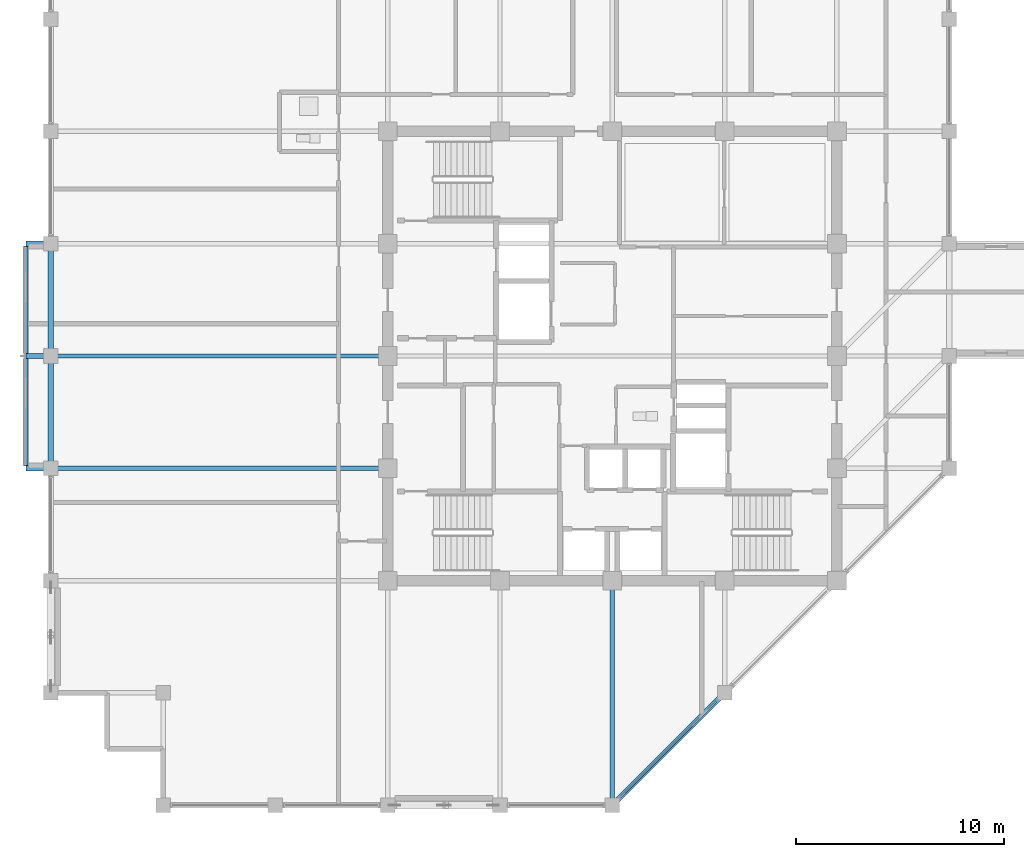
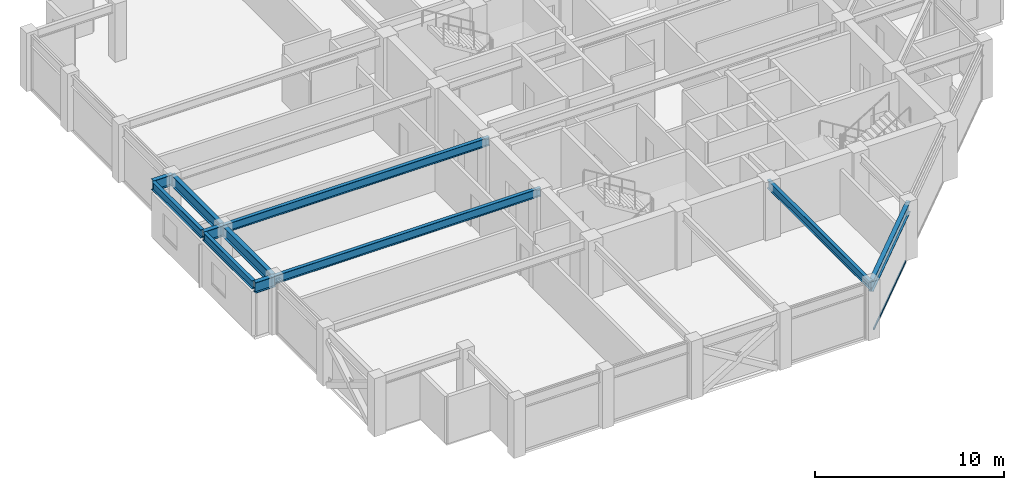
# One storey, part 7 of 30: 11 beams, 1 member, 1 element without a shape of its own.
"""IFC4 building model written with IfcOpenShell, lengths in metres."""

from ifc_helpers import new_model, si_unit, direction, frame, origin, origin_2d, place, context, subcontext, project, spatial, hollow_rectangle, i_section, extrude, material, layer, layer_set, material_profile, profile_set, type_object, element, aggregate, save


model = new_model("IFC4")

# Units and contexts
model_context = context("Model", 3, precision=1e-05, world=origin(), true_north=direction((0.0, 1.0)))
body_context = subcontext(model_context, "Body", "Model", "MODEL_VIEW")
ifc_project = project(units=[si_unit("LENGTHUNIT", "METRE"), si_unit("AREAUNIT", "SQUARE_METRE"), si_unit("VOLUMEUNIT", "CUBIC_METRE"), si_unit("PLANEANGLEUNIT", "RADIAN"), si_unit("MASSUNIT", "GRAM", prefix="KILO")], contexts=[model_context])

# Site, building, storey
site_placement = place(None, origin())
site = spatial("IfcSite", under=ifc_project, at=site_placement, CompositionType="ELEMENT")
building_placement = place(site_placement, origin())
building = spatial("IfcBuilding", under=site, at=building_placement, Name="Surkhivell Harbour Commons", CompositionType="ELEMENT")
storey_placement = place(building_placement, frame((0.0, 0.0, 303.75)))
storey = spatial("IfcBuildingStorey", under=building, at=storey_placement, Name="L79", CompositionType="ELEMENT", Elevation=303.75)

# Beams
ifc_material_1 = material(Name="Steel S460", Category="steel")
ifc_material_profile_1 = material_profile(ifc_material_1, i_section(OverallWidth=0.256103515625, OverallDepth=0.693115234375, WebThickness=0.014404296875, FlangeThickness=0.023681640625, at=origin_2d()), Name="UB686x254x170")
ifc_profile_set_1 = profile_set([ifc_material_profile_1], Name="Steel S460")
beam_type_1 = type_object("IfcBeamType", Name="BM-CNT-686", PredefinedType="BEAM", material=ifc_profile_set_1)
for number, where, z_axis, x_axis, name in (
    (1, (-27.0, -5.39990234375, 3.223388671875), (-1.0, 0.0, 0.0), (0.0, -1.0, 0.0), "L79 Box Cantilever Outrigger (-27.0,-5.4)"),
    (2, (-27.0, 0.0, 3.223388671875), (-1.0, 0.0, 0.0), (0.0, -1.0, 0.0), "L79 Box Cantilever Outrigger (-27.0,0.0)"),
    (3, (-27.0, 5.39990234375, 3.223388671875), (-1.0, 0.0, 0.0), (0.0, -1.0, 0.0), "L79 Box Cantilever Outrigger (-27.0,5.4)"),
):
    element("IfcBeam", number, at=place(storey_placement, frame(where, z_axis=z_axis, x_axis=x_axis)), inside=storey, type_object=beam_type_1, Name=name, PredefinedType="BEAM", context=body_context, shape_type="SweptSolid", body=[
        extrude(i_section(OverallWidth=0.256103515625, OverallDepth=0.693115234375, WebThickness=0.014404296875, FlangeThickness=0.023681640625, at=origin_2d()), origin(), (0.0, 0.0, 1.0), 1.199951171875),
    ])
ifc_material_2 = material(Name="Steel S355", Category="steel")
ifc_material_profile_2 = material_profile(ifc_material_2, i_section(OverallWidth=0.2099609375, OverallDepth=0.537109375, WebThickness=0.0107421875, FlangeThickness=0.017333984375, at=origin_2d()), Name="UB533x210x101")
ifc_profile_set_2 = profile_set([ifc_material_profile_2], Name="Steel S355")
beam_type_2 = type_object("IfcBeamType", Name="BM-GRD-533B", PredefinedType="BEAM", material=ifc_profile_set_2)
for number, where, z_axis, x_axis, name in (
    (4, (-27.0, -5.39990234375, 3.301513671875), (1.0, 0.0, 0.0), (0.0, 1.0, 0.0), "L79 Floor Girder (-27.0,-5.4)"),
    (5, (-27.0, 0.0, 3.301513671875), (1.0, 0.0, 0.0), (0.0, 1.0, 0.0), "L79 Floor Girder (-27.0,0.0)"),
):
    element("IfcBeam", number, at=place(storey_placement, frame(where, z_axis=z_axis, x_axis=x_axis)), inside=storey, type_object=beam_type_2, Name=name, PredefinedType="BEAM", context=body_context, shape_type="SweptSolid", body=[
        extrude(i_section(OverallWidth=0.2099609375, OverallDepth=0.537109375, WebThickness=0.0107421875, FlangeThickness=0.017333984375, at=origin_2d()), origin(), (0.0, 0.0, 1.0), 16.199951171875),
    ])
beam_1_placement = place(storey_placement, frame((0.0, -21.60009765625, 3.301513671875), z_axis=(0.0, 1.0, 0.0), x_axis=(-1.0, 0.0, 0.0)))
element("IfcBeam", 6, at=beam_1_placement, inside=storey, type_object=beam_type_2, Name="L79 Floor Girder (0.0,-21.6)", PredefinedType="BEAM", context=body_context, shape_type="SweptSolid", body=[
    extrude(i_section(OverallWidth=0.2099609375, OverallDepth=0.537109375, WebThickness=0.0107421875, FlangeThickness=0.017333984375, at=origin_2d()), origin(), (0.0, 0.0, 1.0), 10.800048828125),
])
for number, where, z_axis, x_axis, name in (
    (7, (-28.199951171875, -5.278076171875, 3.301513671875), (0.0, 1.0, 0.0), (-1.0, 0.0, 0.0), "L79 Box Rim Spandrel (-28.2,-5.4)"),
    (8, (-28.199951171875, 0.1220703125, 3.301513671875), (0.0, 1.0, 0.0), (-1.0, 0.0, 0.0), "L79 Box Rim Spandrel (-28.2,0.0)"),
):
    element("IfcBeam", number, at=place(storey_placement, frame(where, z_axis=z_axis, x_axis=x_axis)), inside=storey, type_object=beam_type_2, Name=name, PredefinedType="BEAM", context=body_context, shape_type="SweptSolid", body=[
        extrude(i_section(OverallWidth=0.2099609375, OverallDepth=0.537109375, WebThickness=0.0107421875, FlangeThickness=0.017333984375, at=origin_2d()), origin(), (0.0, 0.0, 1.0), 5.156005859375),
    ])
ifc_material_profile_3 = material_profile(ifc_material_2, i_section(OverallWidth=0.256103515625, OverallDepth=0.693115234375, WebThickness=0.014404296875, FlangeThickness=0.023681640625, at=origin_2d()), Name="UB686x254x170")
ifc_profile_set_3 = profile_set([ifc_material_profile_3], Name="Steel S355")
beam_type_3 = type_object("IfcBeamType", Name="BM-SPN-686", PredefinedType="SPANDREL", material=ifc_profile_set_3)
for number, where, z_axis, x_axis, name in (
    (9, (-27.0, -5.39990234375, 3.223388671875), (0.0, 1.0, 0.0), (-1.0, 0.0, 0.0), "L79 Tube Spandrel (-27.0,-5.4)"),
    (10, (-27.0, 0.0, 3.223388671875), (0.0, 1.0, 0.0), (-1.0, 0.0, 0.0), "L79 Tube Spandrel (-27.0,0.0)"),
):
    element("IfcBeam", number, at=place(storey_placement, frame(where, z_axis=z_axis, x_axis=x_axis)), inside=storey, type_object=beam_type_3, Name=name, PredefinedType="SPANDREL", context=body_context, shape_type="SweptSolid", body=[
        extrude(i_section(OverallWidth=0.256103515625, OverallDepth=0.693115234375, WebThickness=0.014404296875, FlangeThickness=0.023681640625, at=origin_2d()), origin(), (0.0, 0.0, 1.0), 5.39990234375),
    ])
beam_2_placement = place(storey_placement, frame((0.0, -21.60009765625, 3.223388671875), z_axis=(0.707090796496, 0.707122765516, 0.0), x_axis=(-0.707122765516, 0.707090796496, 0.0)))
element("IfcBeam", 11, at=beam_2_placement, inside=storey, type_object=beam_type_3, Name="L79 Tube Spandrel (-0.0,-21.6)", PredefinedType="SPANDREL", context=body_context, shape_type="SweptSolid", body=[
    extrude(i_section(OverallWidth=0.256103515625, OverallDepth=0.693115234375, WebThickness=0.014404296875, FlangeThickness=0.023681640625, at=origin_2d()), origin(), (0.0, 0.0, 1.0), 7.63671875),
])

# Curtain wall, member
ifc_material_3 = material(Name="Anodised pale-metal aluminium and insulated glazing", Category="aluminium")
ifc_layer = layer(ifc_material_3, 0.175048828125)
ifc_layer_set = layer_set([ifc_layer], Name="Anodised pale-metal aluminium and insulated glazing")
curtain_wall_type = type_object("IfcCurtainWallType", Name="CW-SYS-Z4", PredefinedType="NOTDEFINED", material=ifc_layer_set)
curtain_wall_placement = place(storey_placement, origin())
curtain_wall = element("IfcCurtainWall", 12, at=curtain_wall_placement, inside=storey, type_object=curtain_wall_type, Name="L79 Curtain Wall CW-L79-E01", PredefinedType="NOTDEFINED")
ifc_material_4 = material(Name="Champagne anodised aluminium alloy 6063-T6", Category="aluminium")
ifc_material_profile_4 = material_profile(ifc_material_4, hollow_rectangle(XDim=0.070068359375, YDim=0.1298828125, WallThickness=0.00341796875, at=origin_2d()), Name="ALU-TRAN-70x130")
ifc_profile_set_4 = profile_set([ifc_material_profile_4], Name="Champagne anodised aluminium alloy 6063-T6")
member_type = type_object("IfcMemberType", Name="CWT-130", PredefinedType="USERDEFINED", material=ifc_profile_set_4)
member_placement = place(storey_placement, frame((0.404541015625, -21.1953125, 0.06494140625), z_axis=(0.707125583467, 0.707087978406, 0.0), x_axis=(-0.707087978406, 0.707125583467, 0.0)))
member = element("IfcMember", 13, at=member_placement, type_object=member_type, Name="CW-Z4 transom 1.1", ObjectType="TRANSOM", PredefinedType="USERDEFINED", context=body_context, shape_type="SweptSolid", body=[
    extrude(hollow_rectangle(XDim=0.070068359375, YDim=0.1298828125, WallThickness=0.00341796875, at=origin_2d()), origin(), (0.0, 0.0, 1.0), 6.4921875),
])
aggregate(curtain_wall, [member])

save(model, "model.ifc")
